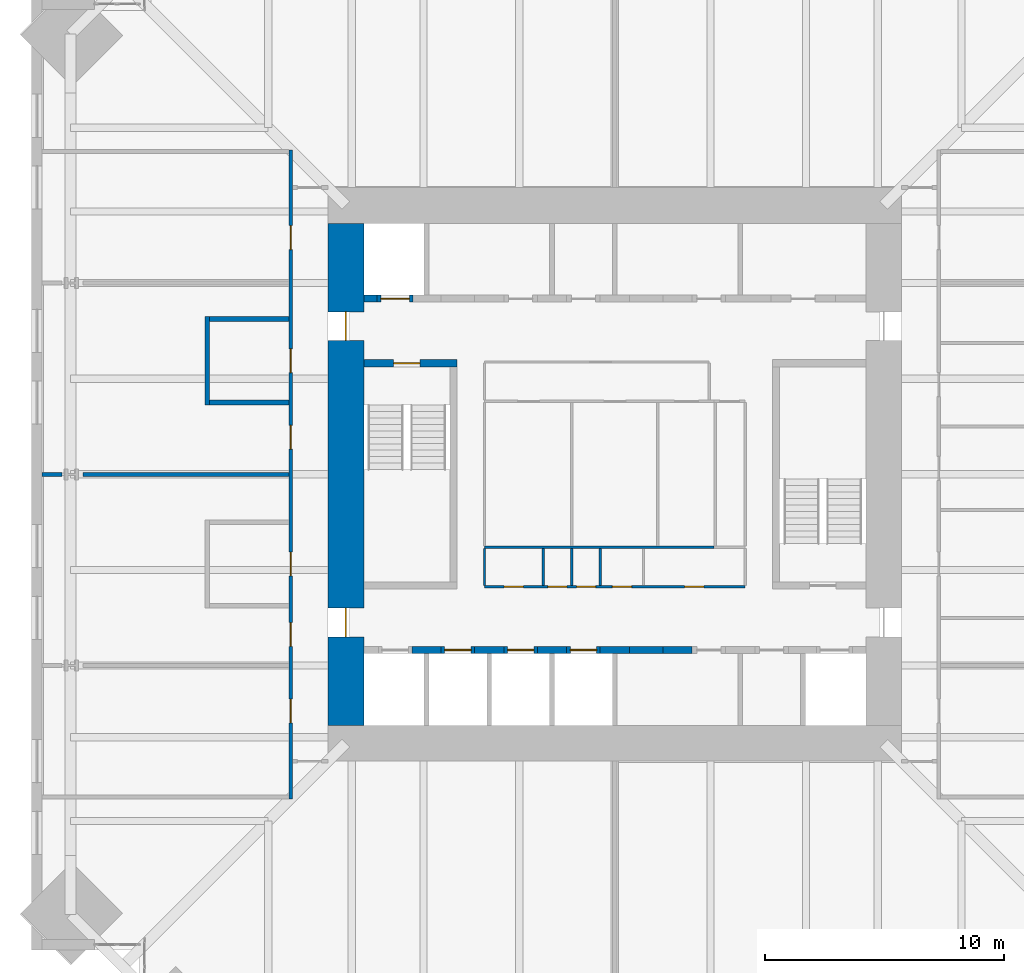
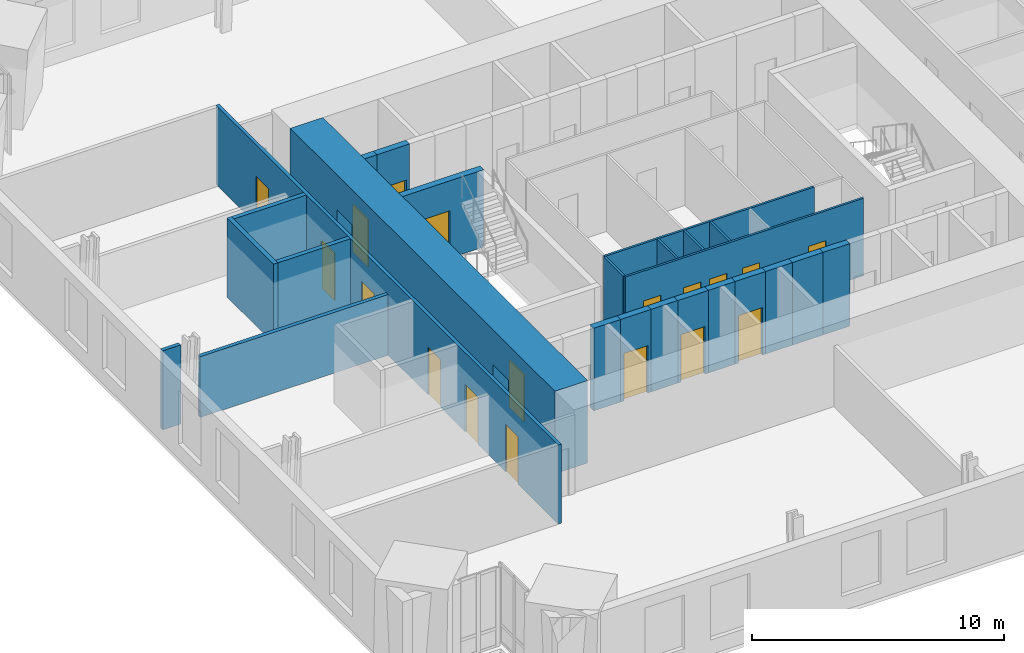
# One storey, part 11 of 15: 25 walls, 18 doors, 18 openings.
"""IFC4 building model written with IfcOpenShell, lengths in metres."""

from ifc_helpers import new_model, si_unit, direction, frame, frame_2d, origin, place, context, subcontext, project, spatial, rectangle, extrude, material, layer, layer_set, type_object, element, fill, save


model = new_model("IFC4")

# Units and contexts
model_context = context("Model", 3, precision=1e-05, world=origin(), true_north=direction((0.0, 1.0)))
body_context = subcontext(model_context, "Body", "Model", "MODEL_VIEW")
ifc_project = project(units=[si_unit("LENGTHUNIT", "METRE"), si_unit("AREAUNIT", "SQUARE_METRE"), si_unit("VOLUMEUNIT", "CUBIC_METRE"), si_unit("PLANEANGLEUNIT", "RADIAN"), si_unit("MASSUNIT", "GRAM", prefix="KILO")], contexts=[model_context])

# Site, building, storey
site_placement = place(None, origin())
site = spatial("IfcSite", under=ifc_project, at=site_placement, CompositionType="ELEMENT")
building_placement = place(site_placement, origin())
building = spatial("IfcBuilding", under=site, at=building_placement, Name="Peilmerk Tower", CompositionType="ELEMENT")
storey_placement = place(building_placement, frame((0.0, 0.0, 201.800048828125)))
storey = spatial("IfcBuildingStorey", under=building, at=storey_placement, Name="L43", CompositionType="ELEMENT", Elevation=201.800048828125)

# Wall, openings, doors
ifc_material_1 = material(Name="Calcium silicate block", Category="masonry")
ifc_layer_1 = layer(ifc_material_1, 0.14990234375)
ifc_layer_set_1 = layer_set([ifc_layer_1], Name="Calcium silicate block")
wall_type_1 = type_object("IfcWallType", Name="IW1 150 corridor partition, EI 60", PredefinedType="PARTITIONING", material=ifc_layer_set_1)
wall_1_placement = place(storey_placement, frame((-13.550048828125, 13.574951171875, 0.0), z_axis=(0.0, 0.0, 1.0), x_axis=(0.0, -1.0, 0.0)))
wall_1 = element("IfcWall", 1, at=wall_1_placement, inside=storey, type_object=wall_type_1, Name="Corridor wall W L43", PredefinedType="PARTITIONING", context=body_context, shape_type="SweptSolid", body=[
    extrude(rectangle(XDim=27.14990234375, YDim=0.14990234375, at=frame_2d((13.574951171875, 0.0))), origin(), (0.0, 0.0, 1.0), 3.829833984375),
])
opening_1_placement = place(wall_1_placement, frame((22.97509765625, 0.0, 0.0)))
opening_1 = element("IfcOpeningElement", 2, at=opening_1_placement, cuts=wall_1, Name="Opening D1", PredefinedType="OPENING", context=body_context, shape_type="SweptSolid", body=[
    extrude(rectangle(XDim=1.0, YDim=2.300048828125, at=frame_2d((0.5, 1.14990234375))), frame((0.0, 0.0849609375, 0.0), z_axis=(0.0, -1.0, 0.0), x_axis=(1.0, 0.0, 0.0)), (0.0, 0.0, 1.0), 0.169921875),
])
opening_2_placement = place(wall_1_placement, frame((19.77490234375, 0.0, 0.0)))
opening_2 = element("IfcOpeningElement", 3, at=opening_2_placement, cuts=wall_1, Name="Opening D1", PredefinedType="OPENING", context=body_context, shape_type="SweptSolid", body=[
    extrude(rectangle(XDim=1.0, YDim=2.300048828125, at=frame_2d((0.5, 1.14990234375))), frame((0.0, 0.0849609375, 0.0), z_axis=(0.0, -1.0, 0.0), x_axis=(1.0, 0.0, 0.0)), (0.0, 0.0, 1.0), 0.169921875),
])
opening_3_placement = place(wall_1_placement, frame((11.52490234375, 0.0, 0.0)))
opening_3 = element("IfcOpeningElement", 4, at=opening_3_placement, cuts=wall_1, Name="Opening D1", PredefinedType="OPENING", context=body_context, shape_type="SweptSolid", body=[
    extrude(rectangle(XDim=1.0, YDim=2.300048828125, at=frame_2d((0.5, 1.14990234375))), frame((0.0, 0.0849609375, 0.0), z_axis=(0.0, -1.0, 0.0), x_axis=(1.0, 0.0, 0.0)), (0.0, 0.0, 1.0), 0.169921875),
])
opening_4_placement = place(wall_1_placement, frame((3.175048828125, 0.0, 0.0)))
opening_4 = element("IfcOpeningElement", 5, at=opening_4_placement, cuts=wall_1, Name="Opening D1", PredefinedType="OPENING", context=body_context, shape_type="SweptSolid", body=[
    extrude(rectangle(XDim=1.0, YDim=2.300048828125, at=frame_2d((0.5, 1.14990234375))), frame((0.0, 0.0849609375, 0.0), z_axis=(0.0, -1.0, 0.0), x_axis=(1.0, 0.0, 0.0)), (0.0, 0.0, 1.0), 0.169921875),
])
opening_5_placement = place(wall_1_placement, frame((16.824951171875, 0.0, 0.0)))
opening_5 = element("IfcOpeningElement", 6, at=opening_5_placement, cuts=wall_1, Name="Opening D1", PredefinedType="OPENING", context=body_context, shape_type="SweptSolid", body=[
    extrude(rectangle(XDim=1.0, YDim=2.300048828125, at=frame_2d((0.5, 1.14990234375))), frame((0.0, 0.0849609375, 0.0), z_axis=(0.0, -1.0, 0.0), x_axis=(1.0, 0.0, 0.0)), (0.0, 0.0, 1.0), 0.169921875),
])
opening_6_placement = place(wall_1_placement, frame((8.324951171875, 0.0, 0.0)))
opening_6 = element("IfcOpeningElement", 7, at=opening_6_placement, cuts=wall_1, Name="Opening D1", PredefinedType="OPENING", context=body_context, shape_type="SweptSolid", body=[
    extrude(rectangle(XDim=1.0, YDim=2.300048828125, at=frame_2d((0.5, 1.14990234375))), frame((0.0, 0.0849609375, 0.0), z_axis=(0.0, -1.0, 0.0), x_axis=(1.0, 0.0, 0.0)), (0.0, 0.0, 1.0), 0.169921875),
])
ifc_material_2 = material(Name="Timber door in steel frame", Category="steel")
door_type_1 = type_object("IfcDoorType", Name="D1 1000x2300 room door, EI2 30", OperationType="SINGLE_SWING_LEFT", PredefinedType="DOOR", material=ifc_material_2)
door_1_placement = place(opening_1_placement, frame((1.0, 0.0, 0.0), z_axis=(0.0, 0.0, 1.0), x_axis=(-1.0, 0.0, 0.0)))
door_1 = element("IfcDoor", 8, at=door_1_placement, inside=storey, type_object=door_type_1, Name="Door Engineering office L43", OperationType="SINGLE_SWING_LEFT", OverallHeight=2.300048828125, OverallWidth=1.0, PredefinedType="DOOR", context=body_context, shape_type="SweptSolid", body=[
    extrude(rectangle(XDim=1.0, YDim=2.300048828125, at=frame_2d((0.5, 1.14990234375))), frame((0.0, 0.02490234375, 0.0), z_axis=(0.0, -1.0, 0.0), x_axis=(1.0, 0.0, 0.0)), (0.0, 0.0, 1.0), 0.050048828125),
])
fill(opening_1, door_1)
door_2_placement = place(opening_2_placement, frame((1.0, 0.0, 0.0), z_axis=(0.0, 0.0, 1.0), x_axis=(-1.0, 0.0, 0.0)))
door_2 = element("IfcDoor", 9, at=door_2_placement, inside=storey, type_object=door_type_1, Name="Door Engineering office L43", OperationType="SINGLE_SWING_LEFT", OverallHeight=2.300048828125, OverallWidth=1.0, PredefinedType="DOOR", context=body_context, shape_type="SweptSolid", body=[
    extrude(rectangle(XDim=1.0, YDim=2.300048828125, at=frame_2d((0.5, 1.14990234375))), frame((0.0, 0.02490234375, 0.0), z_axis=(0.0, -1.0, 0.0), x_axis=(1.0, 0.0, 0.0)), (0.0, 0.0, 1.0), 0.050048828125),
])
fill(opening_2, door_2)
door_3_placement = place(opening_3_placement, frame((1.0, 0.0, 0.0), z_axis=(0.0, 0.0, 1.0), x_axis=(-1.0, 0.0, 0.0)))
door_3 = element("IfcDoor", 10, at=door_3_placement, inside=storey, type_object=door_type_1, Name="Door Engineering office L43", OperationType="SINGLE_SWING_LEFT", OverallHeight=2.300048828125, OverallWidth=1.0, PredefinedType="DOOR", context=body_context, shape_type="SweptSolid", body=[
    extrude(rectangle(XDim=1.0, YDim=2.300048828125, at=frame_2d((0.5, 1.14990234375))), frame((0.0, 0.02490234375, 0.0), z_axis=(0.0, -1.0, 0.0), x_axis=(1.0, 0.0, 0.0)), (0.0, 0.0, 1.0), 0.050048828125),
])
fill(opening_3, door_3)
door_4_placement = place(opening_4_placement, frame((1.0, 0.0, 0.0), z_axis=(0.0, 0.0, 1.0), x_axis=(-1.0, 0.0, 0.0)))
door_4 = element("IfcDoor", 11, at=door_4_placement, inside=storey, type_object=door_type_1, Name="Door Changing room L43", OperationType="SINGLE_SWING_LEFT", OverallHeight=2.300048828125, OverallWidth=1.0, PredefinedType="DOOR", context=body_context, shape_type="SweptSolid", body=[
    extrude(rectangle(XDim=1.0, YDim=2.300048828125, at=frame_2d((0.5, 1.14990234375))), frame((0.0, 0.02490234375, 0.0), z_axis=(0.0, -1.0, 0.0), x_axis=(1.0, 0.0, 0.0)), (0.0, 0.0, 1.0), 0.050048828125),
])
fill(opening_4, door_4)
door_5_placement = place(opening_5_placement, frame((1.0, 0.0, 0.0), z_axis=(0.0, 0.0, 1.0), x_axis=(-1.0, 0.0, 0.0)))
door_5 = element("IfcDoor", 12, at=door_5_placement, inside=storey, type_object=door_type_1, Name="Door Instrument workshop L43", OperationType="SINGLE_SWING_LEFT", OverallHeight=2.300048828125, OverallWidth=1.0, PredefinedType="DOOR", context=body_context, shape_type="SweptSolid", body=[
    extrude(rectangle(XDim=1.0, YDim=2.300048828125, at=frame_2d((0.5, 1.14990234375))), frame((0.0, 0.02490234375, 0.0), z_axis=(0.0, -1.0, 0.0), x_axis=(1.0, 0.0, 0.0)), (0.0, 0.0, 1.0), 0.050048828125),
])
fill(opening_5, door_5)
door_6_placement = place(opening_6_placement, frame((1.0, 0.0, 0.0), z_axis=(0.0, 0.0, 1.0), x_axis=(-1.0, 0.0, 0.0)))
door_6 = element("IfcDoor", 13, at=door_6_placement, inside=storey, type_object=door_type_1, Name="Door Calibration lab L43", OperationType="SINGLE_SWING_LEFT", OverallHeight=2.300048828125, OverallWidth=1.0, PredefinedType="DOOR", context=body_context, shape_type="SweptSolid", body=[
    extrude(rectangle(XDim=1.0, YDim=2.300048828125, at=frame_2d((0.5, 1.14990234375))), frame((0.0, 0.02490234375, 0.0), z_axis=(0.0, -1.0, 0.0), x_axis=(1.0, 0.0, 0.0)), (0.0, 0.0, 1.0), 0.050048828125),
])
fill(opening_6, door_6)

# Walls
ifc_layer_2 = layer(ifc_material_1, 0.199951171875)
ifc_layer_set_2 = layer_set([ifc_layer_2], Name="Calcium silicate block")
wall_type_2 = type_object("IfcWallType", Name="IW2 200 room separating wall, EI 120", PredefinedType="PARTITIONING", material=ifc_layer_set_2)
wall_2_placement = place(storey_placement, frame((-17.050048828125, 2.89990234375, 0.0), z_axis=(0.0, 0.0, 1.0), x_axis=(0.0, 1.0, 0.0)))
element("IfcWall", 14, at=wall_2_placement, inside=storey, type_object=wall_type_2, Name="Room separating wall Calibration lab L43", PredefinedType="PARTITIONING", context=body_context, shape_type="SweptSolid", body=[
    extrude(rectangle(XDim=3.7001953125, YDim=0.199951171875, at=frame_2d((1.85009765625, 0.0))), origin(), (0.0, 0.0, 1.0), 3.829833984375),
])
for number, where, z_axis, x_axis, name in (
    (15, (-13.625, 3.0, 0.0), (0.0, 0.0, 1.0), (-1.0, 0.0, 0.0), "Room separating wall Calibration lab L43"),
    (16, (-13.625, 6.5, 0.0), (0.0, 0.0, 1.0), (-1.0, 0.0, 0.0), "Room separating wall Calibration lab L43"),
):
    element("IfcWall", number, at=place(storey_placement, frame(where, z_axis=z_axis, x_axis=x_axis)), inside=storey, type_object=wall_type_2, Name=name, PredefinedType="PARTITIONING", context=body_context, shape_type="SweptSolid", body=[
        extrude(rectangle(XDim=3.324951171875, YDim=0.199951171875, at=frame_2d((1.66259765625, 0.0))), origin(), (0.0, 0.0, 1.0), 3.829833984375),
    ])

# Wall, opening, door
ifc_material_3 = material(Name="Concrete C35/45", Category="concrete")
ifc_layer_3 = layer(ifc_material_3, 0.300048828125)
ifc_layer_set_3 = layer_set([ifc_layer_3], Name="Concrete C35/45")
wall_type_3 = type_object("IfcWallType", Name="IW3 300 concrete stair enclosure wall, EI 120", PredefinedType="SOLIDWALL", material=ifc_layer_set_3)
wall_3_placement = place(storey_placement, frame((-10.5, 4.64990234375, 0.0), z_axis=(0.0, 0.0, 1.0), x_axis=(1.0, 0.0, 0.0)))
wall_3 = element("IfcWall", 17, at=wall_3_placement, inside=storey, type_object=wall_type_3, Name="Stair 1 enclosure L43", PredefinedType="SOLIDWALL", context=body_context, shape_type="SweptSolid", body=[
    extrude(rectangle(XDim=3.89990234375, YDim=0.300048828125, at=frame_2d((1.949951171875, 0.0))), origin(), (0.0, 0.0, 1.0), 3.75),
])
opening_7_placement = place(wall_3_placement, frame((1.25, 0.0, 0.0)))
opening_7 = element("IfcOpeningElement", 18, at=opening_7_placement, cuts=wall_3, Name="Opening D4", PredefinedType="OPENING", context=body_context, shape_type="SweptSolid", body=[
    extrude(rectangle(XDim=1.10009765625, YDim=2.300048828125, at=frame_2d((0.550048828125, 1.14990234375))), frame((0.0, 0.159912109375, 0.0), z_axis=(0.0, -1.0, 0.0), x_axis=(1.0, 0.0, 0.0)), (0.0, 0.0, 1.0), 0.320068359375),
])
ifc_material_4 = material(Name="Steel door in steel frame", Category="steel")
door_type_2 = type_object("IfcDoorType", Name="D4 1100x2300 stair door, EI2 60", OperationType="SINGLE_SWING_RIGHT", PredefinedType="DOOR", material=ifc_material_4)
door_7_placement = place(opening_7_placement, frame((1.10009765625, 0.0, 0.0), z_axis=(0.0, 0.0, 1.0), x_axis=(-1.0, 0.0, 0.0)))
door_7 = element("IfcDoor", 19, at=door_7_placement, inside=storey, type_object=door_type_2, Name="Stair 1 door L43", OperationType="SINGLE_SWING_RIGHT", OverallHeight=2.300048828125, OverallWidth=1.10009765625, PredefinedType="DOOR", context=body_context, shape_type="SweptSolid", body=[
    extrude(rectangle(XDim=1.10009765625, YDim=2.300048828125, at=frame_2d((0.550048828125, 1.14990234375))), frame((0.0, 0.02490234375, 0.0), z_axis=(0.0, -1.0, 0.0), x_axis=(1.0, 0.0, 0.0)), (0.0, 0.0, 1.0), 0.050048828125),
])
fill(opening_7, door_7)

# Wall
ifc_material_5 = material(Name="Plasterboard on steel studs", Category="steel")
ifc_layer_4 = layer(ifc_material_5, 0.10009765625)
ifc_layer_set_4 = layer_set([ifc_layer_4], Name="Plasterboard on steel studs")
wall_type_4 = type_object("IfcWallType", Name="IW4 100 WC partition", PredefinedType="PARTITIONING", material=ifc_layer_set_4)
wall_4_placement = place(storey_placement, frame((4.14990234375, -3.050048828125, 0.0), z_axis=(0.0, 0.0, 1.0), x_axis=(-1.0, 0.0, 0.0)))
element("IfcWall", 20, at=wall_4_placement, inside=storey, type_object=wall_type_4, Name="WC wall L43", PredefinedType="PARTITIONING", context=body_context, shape_type="SweptSolid", body=[
    extrude(rectangle(XDim=9.599853515625, YDim=0.10009765625, at=frame_2d((4.7998046875, 0.0))), origin(), (0.0, 0.0, 1.0), 3.75),
])

# Wall, openings, doors
ifc_material_6 = material(Name="Calcium silicate board on steel studs", Category="steel")
ifc_layer_5 = layer(ifc_material_6, 0.10009765625)
ifc_layer_set_5 = layer_set([ifc_layer_5], Name="Calcium silicate board on steel studs")
wall_type_5 = type_object("IfcWallType", Name="IW5 100 riser enclosure wall, EI 60", PredefinedType="PARTITIONING", material=ifc_layer_set_5)
wall_5_placement = place(storey_placement, frame((5.449951171875, -4.699951171875, 0.0), z_axis=(0.0, 0.0, 1.0), x_axis=(-1.0, 0.0, 0.0)))
wall_5 = element("IfcWall", 21, at=wall_5_placement, inside=storey, type_object=wall_type_5, Name="Riser wall L43", PredefinedType="PARTITIONING", context=body_context, shape_type="SweptSolid", body=[
    extrude(rectangle(XDim=10.89990234375, YDim=0.10009765625, at=frame_2d((5.449951171875, 0.0))), origin(), (0.0, 0.0, 1.0), 3.75),
])
opening_8_placement = place(wall_5_placement, frame((9.27490234375, 0.0, 0.0)))
opening_8 = element("IfcOpeningElement", 22, at=opening_8_placement, cuts=wall_5, Name="Opening D7", PredefinedType="OPENING", context=body_context, shape_type="SweptSolid", body=[
    extrude(rectangle(XDim=0.800048828125, YDim=2.300048828125, at=frame_2d((0.39990234375, 1.14990234375))), frame((0.0, 0.06005859375, 0.0), z_axis=(0.0, -1.0, 0.0), x_axis=(1.0, 0.0, 0.0)), (0.0, 0.0, 1.0), 0.1201171875),
])
opening_9_placement = place(wall_5_placement, frame((7.449951171875, 0.0, 0.0)))
opening_9 = element("IfcOpeningElement", 23, at=opening_9_placement, cuts=wall_5, Name="Opening D7", PredefinedType="OPENING", context=body_context, shape_type="SweptSolid", body=[
    extrude(rectangle(XDim=0.800048828125, YDim=2.300048828125, at=frame_2d((0.39990234375, 1.14990234375))), frame((0.0, 0.06005859375, 0.0), z_axis=(0.0, -1.0, 0.0), x_axis=(1.0, 0.0, 0.0)), (0.0, 0.0, 1.0), 0.1201171875),
])
opening_10_placement = place(wall_5_placement, frame((6.25, 0.0, 0.0)))
opening_10 = element("IfcOpeningElement", 24, at=opening_10_placement, cuts=wall_5, Name="Opening D7", PredefinedType="OPENING", context=body_context, shape_type="SweptSolid", body=[
    extrude(rectangle(XDim=0.800048828125, YDim=2.300048828125, at=frame_2d((0.39990234375, 1.14990234375))), frame((0.0, 0.06005859375, 0.0), z_axis=(0.0, -1.0, 0.0), x_axis=(1.0, 0.0, 0.0)), (0.0, 0.0, 1.0), 0.1201171875),
])
opening_11_placement = place(wall_5_placement, frame((4.75, 0.0, 0.0)))
opening_11 = element("IfcOpeningElement", 25, at=opening_11_placement, cuts=wall_5, Name="Opening D7", PredefinedType="OPENING", context=body_context, shape_type="SweptSolid", body=[
    extrude(rectangle(XDim=0.800048828125, YDim=2.300048828125, at=frame_2d((0.39990234375, 1.14990234375))), frame((0.0, 0.06005859375, 0.0), z_axis=(0.0, -1.0, 0.0), x_axis=(1.0, 0.0, 0.0)), (0.0, 0.0, 1.0), 0.1201171875),
])
opening_12_placement = place(wall_5_placement, frame((1.72509765625, 0.0, 0.0)))
opening_12 = element("IfcOpeningElement", 26, at=opening_12_placement, cuts=wall_5, Name="Opening D7", PredefinedType="OPENING", context=body_context, shape_type="SweptSolid", body=[
    extrude(rectangle(XDim=0.800048828125, YDim=2.300048828125, at=frame_2d((0.39990234375, 1.14990234375))), frame((0.0, 0.06005859375, 0.0), z_axis=(0.0, -1.0, 0.0), x_axis=(1.0, 0.0, 0.0)), (0.0, 0.0, 1.0), 0.1201171875),
])
door_type_3 = type_object("IfcDoorType", Name="D7 800x2300 riser access door, EI2 60", OperationType="SINGLE_SWING_RIGHT", PredefinedType="DOOR", material=ifc_material_4)
door_8_placement = place(opening_8_placement, frame((0.800048828125, 0.0, 0.0), z_axis=(0.0, 0.0, 1.0), x_axis=(-1.0, 0.0, 0.0)))
door_8 = element("IfcDoor", 27, at=door_8_placement, inside=storey, type_object=door_type_3, Name="Electrical room door L43", OperationType="SINGLE_SWING_RIGHT", OverallHeight=2.300048828125, OverallWidth=0.800048828125, PredefinedType="DOOR", context=body_context, shape_type="SweptSolid", body=[
    extrude(rectangle(XDim=0.800048828125, YDim=2.300048828125, at=frame_2d((0.39990234375, 1.14990234375))), frame((0.0, 0.02490234375, 0.0), z_axis=(0.0, -1.0, 0.0), x_axis=(1.0, 0.0, 0.0)), (0.0, 0.0, 1.0), 0.050048828125),
])
fill(opening_8, door_8)
door_9_placement = place(opening_9_placement, frame((0.800048828125, 0.0, 0.0), z_axis=(0.0, 0.0, 1.0), x_axis=(-1.0, 0.0, 0.0)))
door_9 = element("IfcDoor", 28, at=door_9_placement, inside=storey, type_object=door_type_3, Name="Electrical riser door L43", OperationType="SINGLE_SWING_RIGHT", OverallHeight=2.300048828125, OverallWidth=0.800048828125, PredefinedType="DOOR", context=body_context, shape_type="SweptSolid", body=[
    extrude(rectangle(XDim=0.800048828125, YDim=2.300048828125, at=frame_2d((0.39990234375, 1.14990234375))), frame((0.0, 0.02490234375, 0.0), z_axis=(0.0, -1.0, 0.0), x_axis=(1.0, 0.0, 0.0)), (0.0, 0.0, 1.0), 0.050048828125),
])
fill(opening_9, door_9)
door_10_placement = place(opening_10_placement, frame((0.800048828125, 0.0, 0.0), z_axis=(0.0, 0.0, 1.0), x_axis=(-1.0, 0.0, 0.0)))
door_10 = element("IfcDoor", 29, at=door_10_placement, inside=storey, type_object=door_type_3, Name="Data riser door L43", OperationType="SINGLE_SWING_RIGHT", OverallHeight=2.300048828125, OverallWidth=0.800048828125, PredefinedType="DOOR", context=body_context, shape_type="SweptSolid", body=[
    extrude(rectangle(XDim=0.800048828125, YDim=2.300048828125, at=frame_2d((0.39990234375, 1.14990234375))), frame((0.0, 0.02490234375, 0.0), z_axis=(0.0, -1.0, 0.0), x_axis=(1.0, 0.0, 0.0)), (0.0, 0.0, 1.0), 0.050048828125),
])
fill(opening_10, door_10)
door_11_placement = place(opening_11_placement, frame((0.800048828125, 0.0, 0.0), z_axis=(0.0, 0.0, 1.0), x_axis=(-1.0, 0.0, 0.0)))
door_11 = element("IfcDoor", 30, at=door_11_placement, inside=storey, type_object=door_type_3, Name="Cleaner's cupboard door L43", OperationType="SINGLE_SWING_RIGHT", OverallHeight=2.300048828125, OverallWidth=0.800048828125, PredefinedType="DOOR", context=body_context, shape_type="SweptSolid", body=[
    extrude(rectangle(XDim=0.800048828125, YDim=2.300048828125, at=frame_2d((0.39990234375, 1.14990234375))), frame((0.0, 0.02490234375, 0.0), z_axis=(0.0, -1.0, 0.0), x_axis=(1.0, 0.0, 0.0)), (0.0, 0.0, 1.0), 0.050048828125),
])
fill(opening_11, door_11)
door_12_placement = place(opening_12_placement, frame((0.800048828125, 0.0, 0.0), z_axis=(0.0, 0.0, 1.0), x_axis=(-1.0, 0.0, 0.0)))
door_12 = element("IfcDoor", 31, at=door_12_placement, inside=storey, type_object=door_type_3, Name="Comms room door L43", OperationType="SINGLE_SWING_RIGHT", OverallHeight=2.300048828125, OverallWidth=0.800048828125, PredefinedType="DOOR", context=body_context, shape_type="SweptSolid", body=[
    extrude(rectangle(XDim=0.800048828125, YDim=2.300048828125, at=frame_2d((0.39990234375, 1.14990234375))), frame((0.0, 0.02490234375, 0.0), z_axis=(0.0, -1.0, 0.0), x_axis=(1.0, 0.0, 0.0)), (0.0, 0.0, 1.0), 0.050048828125),
])
fill(opening_12, door_12)

# Walls
for number, where, z_axis, x_axis, name in (
    (32, (-5.449951171875, -3.10009765625, 0.0), (0.0, 0.0, 1.0), (0.0, -1.0, 0.0), "Riser wall L43"),
    (33, (-3.0, -3.10009765625, 0.0), (0.0, 0.0, 1.0), (0.0, -1.0, 0.0), "Riser wall L43"),
    (34, (-1.800048828125, -3.10009765625, 0.0), (0.0, 0.0, 1.0), (0.0, -1.0, 0.0), "Riser wall L43"),
    (35, (-0.60009765625, -3.10009765625, 0.0), (0.0, 0.0, 1.0), (0.0, -1.0, 0.0), "Riser wall L43"),
):
    element("IfcWall", number, at=place(storey_placement, frame(where, z_axis=z_axis, x_axis=x_axis)), inside=storey, type_object=wall_type_5, Name=name, PredefinedType="PARTITIONING", context=body_context, shape_type="SweptSolid", body=[
        extrude(rectangle(XDim=1.5498046875, YDim=0.10009765625, at=frame_2d((0.77490234375, 0.0))), origin(), (0.0, 0.0, 1.0), 3.75),
    ])
ifc_layer_6 = layer(ifc_material_1, 0.175048828125)
ifc_layer_set_6 = layer_set([ifc_layer_6], Name="Calcium silicate block")
wall_type_6 = type_object("IfcWallType", Name="IW8 175 tenant separating wall, EI 60", PredefinedType="PARTITIONING", material=ifc_layer_set_6)
wall_6_placement = place(storey_placement, frame((-13.625, 0.0, 0.0), z_axis=(0.0, 0.0, 1.0), x_axis=(-1.0, 0.0, 0.0)))
element("IfcWall", 36, at=wall_6_placement, inside=storey, type_object=wall_type_6, Name="Tenant separating wall W2 L43", PredefinedType="PARTITIONING", context=body_context, shape_type="SweptSolid", body=[
    extrude(rectangle(XDim=8.609375, YDim=0.175048828125, at=frame_2d((4.3046875, 0.0))), origin(), (0.0, 0.0, 1.0), 2.93994140625),
])
wall_7_placement = place(storey_placement, frame((-23.12353515625, 0.0, 0.0), z_axis=(0.0, 0.0, 1.0), x_axis=(-1.0, 0.0, 0.0)))
element("IfcWall", 37, at=wall_7_placement, inside=storey, type_object=wall_type_6, Name="Tenant separating wall W2b L43", PredefinedType="PARTITIONING", context=body_context, shape_type="SweptSolid", body=[
    extrude(rectangle(XDim=0.826416015625, YDim=0.175048828125, at=frame_2d((0.4130859375, 0.0))), origin(), (0.0, 0.0, 1.0), 3.829833984375),
])

# Wall, opening, door
ifc_layer_7 = layer(ifc_material_1, 0.300048828125)
ifc_layer_set_7 = layer_set([ifc_layer_7], Name="Calcium silicate block")
wall_type_7 = type_object("IfcWallType", Name="SH2 300 lift landing door panel, EI 120", PredefinedType="PARTITIONING", material=ifc_layer_set_7)
wall_8_placement = place(storey_placement, frame((-9.9375, 7.35009765625, 0.0), z_axis=(0.0, 0.0, 1.0), x_axis=(1.0, 0.0, 0.0)))
wall_8 = element("IfcWall", 38, at=wall_8_placement, inside=storey, type_object=wall_type_7, Name="Lift door panel N FL1 L43", PredefinedType="PARTITIONING", context=body_context, shape_type="SweptSolid", body=[
    extrude(rectangle(XDim=1.5, YDim=0.300048828125, at=frame_2d((0.75, 0.0))), origin(), (0.0, 0.0, 1.0), 4.0),
])
opening_13_placement = place(wall_8_placement, frame((0.14990234375, 0.0, 0.0)))
opening_13 = element("IfcOpeningElement", 39, at=opening_13_placement, cuts=wall_8, Name="Opening LD2", PredefinedType="OPENING", context=body_context, shape_type="SweptSolid", body=[
    extrude(rectangle(XDim=1.199951171875, YDim=2.300048828125, at=frame_2d((0.60009765625, 1.14990234375))), frame((0.0, 0.159912109375, 0.0), z_axis=(0.0, -1.0, 0.0), x_axis=(1.0, 0.0, 0.0)), (0.0, 0.0, 1.0), 0.320068359375),
])
ifc_material_7 = material(Name="Stainless steel landing door", Category="steel")
door_type_4 = type_object("IfcDoorType", Name="LD2 1200x2300 lift landing door, sliding, EI2 60", OperationType="SLIDING_TO_LEFT", PredefinedType="DOOR", material=ifc_material_7)
door_13_placement = place(opening_13_placement, frame((1.199951171875, 0.0, 0.0), z_axis=(0.0, 0.0, 1.0), x_axis=(-1.0, 0.0, 0.0)))
door_13 = element("IfcDoor", 40, at=door_13_placement, inside=storey, type_object=door_type_4, Name="Lift landing door FL1 L43", OperationType="SLIDING_TO_LEFT", OverallHeight=2.300048828125, OverallWidth=1.199951171875, PredefinedType="DOOR", context=body_context, shape_type="SweptSolid", body=[
    extrude(rectangle(XDim=1.199951171875, YDim=2.300048828125, at=frame_2d((0.60009765625, 1.14990234375))), frame((0.0, 0.02490234375, 0.0), z_axis=(0.0, -1.0, 0.0), x_axis=(1.0, 0.0, 0.0)), (0.0, 0.0, 1.0), 0.050048828125),
])
fill(opening_13, door_13)

wall_9_placement = place(storey_placement, frame((-7.262451171875, -7.35009765625, 0.0), z_axis=(0.0, 0.0, 1.0), x_axis=(1.0, 0.0, 0.0)))
wall_9 = element("IfcWall", 41, at=wall_9_placement, inside=storey, type_object=wall_type_7, Name="Lift door panel S C3 L43", PredefinedType="PARTITIONING", context=body_context, shape_type="SweptSolid", body=[
    extrude(rectangle(XDim=1.39990234375, YDim=0.300048828125, at=frame_2d((0.699951171875, 0.0))), origin(), (0.0, 0.0, 1.0), 4.0),
])
opening_14_placement = place(wall_9_placement, frame((0.14990234375, 0.0, 0.0)))
opening_14 = element("IfcOpeningElement", 42, at=opening_14_placement, cuts=wall_9, Name="Opening LD1", PredefinedType="OPENING", context=body_context, shape_type="SweptSolid", body=[
    extrude(rectangle(XDim=1.10009765625, YDim=2.300048828125, at=frame_2d((0.550048828125, 1.14990234375))), frame((0.0, 0.159912109375, 0.0), z_axis=(0.0, -1.0, 0.0), x_axis=(1.0, 0.0, 0.0)), (0.0, 0.0, 1.0), 0.320068359375),
])
door_type_5 = type_object("IfcDoorType", Name="LD1 1100x2300 lift landing door, sliding, EI2 60", OperationType="SLIDING_TO_LEFT", PredefinedType="DOOR", material=ifc_material_7)
door_14_placement = place(opening_14_placement, origin())
door_14 = element("IfcDoor", 43, at=door_14_placement, inside=storey, type_object=door_type_5, Name="Lift landing door C3 L43", OperationType="SLIDING_TO_LEFT", OverallHeight=2.300048828125, OverallWidth=1.10009765625, PredefinedType="DOOR", context=body_context, shape_type="SweptSolid", body=[
    extrude(rectangle(XDim=1.10009765625, YDim=2.300048828125, at=frame_2d((0.550048828125, 1.14990234375))), frame((0.0, 0.02490234375, 0.0), z_axis=(0.0, -1.0, 0.0), x_axis=(1.0, 0.0, 0.0)), (0.0, 0.0, 1.0), 0.050048828125),
])
fill(opening_14, door_14)

wall_10_placement = place(storey_placement, frame((-4.637451171875, -7.35009765625, 0.0), z_axis=(0.0, 0.0, 1.0), x_axis=(1.0, 0.0, 0.0)))
wall_10 = element("IfcWall", 44, at=wall_10_placement, inside=storey, type_object=wall_type_7, Name="Lift door panel S C2 L43", PredefinedType="PARTITIONING", context=body_context, shape_type="SweptSolid", body=[
    extrude(rectangle(XDim=1.39990234375, YDim=0.300048828125, at=frame_2d((0.699951171875, 0.0))), origin(), (0.0, 0.0, 1.0), 4.0),
])
opening_15_placement = place(wall_10_placement, frame((0.14990234375, 0.0, 0.0)))
opening_15 = element("IfcOpeningElement", 45, at=opening_15_placement, cuts=wall_10, Name="Opening LD1", PredefinedType="OPENING", context=body_context, shape_type="SweptSolid", body=[
    extrude(rectangle(XDim=1.10009765625, YDim=2.300048828125, at=frame_2d((0.550048828125, 1.14990234375))), frame((0.0, 0.159912109375, 0.0), z_axis=(0.0, -1.0, 0.0), x_axis=(1.0, 0.0, 0.0)), (0.0, 0.0, 1.0), 0.320068359375),
])
door_15_placement = place(opening_15_placement, origin())
door_15 = element("IfcDoor", 46, at=door_15_placement, inside=storey, type_object=door_type_5, Name="Lift landing door C2 L43", OperationType="SLIDING_TO_LEFT", OverallHeight=2.300048828125, OverallWidth=1.10009765625, PredefinedType="DOOR", context=body_context, shape_type="SweptSolid", body=[
    extrude(rectangle(XDim=1.10009765625, YDim=2.300048828125, at=frame_2d((0.550048828125, 1.14990234375))), frame((0.0, 0.02490234375, 0.0), z_axis=(0.0, -1.0, 0.0), x_axis=(1.0, 0.0, 0.0)), (0.0, 0.0, 1.0), 0.050048828125),
])
fill(opening_15, door_15)

wall_11_placement = place(storey_placement, frame((-2.012451171875, -7.35009765625, 0.0), z_axis=(0.0, 0.0, 1.0), x_axis=(1.0, 0.0, 0.0)))
wall_11 = element("IfcWall", 47, at=wall_11_placement, inside=storey, type_object=wall_type_7, Name="Lift door panel S C1 L43", PredefinedType="PARTITIONING", context=body_context, shape_type="SweptSolid", body=[
    extrude(rectangle(XDim=1.39990234375, YDim=0.300048828125, at=frame_2d((0.699951171875, 0.0))), origin(), (0.0, 0.0, 1.0), 4.0),
])
opening_16_placement = place(wall_11_placement, frame((0.14990234375, 0.0, 0.0)))
opening_16 = element("IfcOpeningElement", 48, at=opening_16_placement, cuts=wall_11, Name="Opening LD1", PredefinedType="OPENING", context=body_context, shape_type="SweptSolid", body=[
    extrude(rectangle(XDim=1.10009765625, YDim=2.300048828125, at=frame_2d((0.550048828125, 1.14990234375))), frame((0.0, 0.159912109375, 0.0), z_axis=(0.0, -1.0, 0.0), x_axis=(1.0, 0.0, 0.0)), (0.0, 0.0, 1.0), 0.320068359375),
])
door_16_placement = place(opening_16_placement, origin())
door_16 = element("IfcDoor", 49, at=door_16_placement, inside=storey, type_object=door_type_5, Name="Lift landing door C1 L43", OperationType="SLIDING_TO_LEFT", OverallHeight=2.300048828125, OverallWidth=1.10009765625, PredefinedType="DOOR", context=body_context, shape_type="SweptSolid", body=[
    extrude(rectangle(XDim=1.10009765625, YDim=2.300048828125, at=frame_2d((0.550048828125, 1.14990234375))), frame((0.0, 0.02490234375, 0.0), z_axis=(0.0, -1.0, 0.0), x_axis=(1.0, 0.0, 0.0)), (0.0, 0.0, 1.0), 0.050048828125),
])
fill(opening_16, door_16)

# Wall
wall_12_placement = place(storey_placement, frame((0.612548828125, -7.35009765625, 0.0), z_axis=(0.0, 0.0, 1.0), x_axis=(1.0, 0.0, 0.0)))
element("IfcWall", 50, at=wall_12_placement, inside=storey, type_object=wall_type_7, Name="Lift door panel S B3 L43", PredefinedType="PARTITIONING", context=body_context, shape_type="SweptSolid", body=[
    extrude(rectangle(XDim=1.39990234375, YDim=0.300048828125, at=frame_2d((0.699951171875, 0.0))), origin(), (0.0, 0.0, 1.0), 4.0),
])

# Wall, openings, doors
ifc_material_8 = material(Name="Concrete C55/67", Category="concrete")
ifc_layer_8 = layer(ifc_material_8, 1.5)
ifc_layer_set_8 = layer_set([ifc_layer_8], Name="Concrete C55/67")
wall_type_8 = type_object("IfcWallType", Name="SW1 1500 core wall", PredefinedType="SHEAR", material=ifc_layer_set_8)
wall_13_placement = place(storey_placement, frame((-11.25, -10.5, 0.0), z_axis=(0.0, 0.0, 1.0), x_axis=(0.0, 1.0, 0.0)))
wall_13 = element("IfcWall", 51, at=wall_13_placement, inside=storey, type_object=wall_type_8, Name="Core wall W L43", PredefinedType="SHEAR", context=body_context, shape_type="SweptSolid", body=[
    extrude(rectangle(XDim=21.0, YDim=1.5, at=frame_2d((10.5, 0.0))), origin(), (0.0, 0.0, 1.0), 4.0),
])
opening_17_placement = place(wall_13_placement, frame((16.10009765625, 0.0, 0.0)))
opening_17 = element("IfcOpeningElement", 52, at=opening_17_placement, cuts=wall_13, Name="Opening D3", PredefinedType="OPENING", context=body_context, shape_type="SweptSolid", body=[
    extrude(rectangle(XDim=1.199951171875, YDim=2.300048828125, at=frame_2d((0.60009765625, 1.14990234375))), frame((0.0, 0.760009765625, 0.0), z_axis=(0.0, -1.0, 0.0), x_axis=(1.0, 0.0, 0.0)), (0.0, 0.0, 1.0), 1.52001953125),
])
opening_18_placement = place(wall_13_placement, frame((3.699951171875, 0.0, 0.0)))
opening_18 = element("IfcOpeningElement", 53, at=opening_18_placement, cuts=wall_13, Name="Opening D3", PredefinedType="OPENING", context=body_context, shape_type="SweptSolid", body=[
    extrude(rectangle(XDim=1.199951171875, YDim=2.300048828125, at=frame_2d((0.60009765625, 1.14990234375))), frame((0.0, 0.760009765625, 0.0), z_axis=(0.0, -1.0, 0.0), x_axis=(1.0, 0.0, 0.0)), (0.0, 0.0, 1.0), 1.52001953125),
])
door_type_6 = type_object("IfcDoorType", Name="D3 1200x2300 core door, EI2 60", OperationType="SINGLE_SWING_LEFT", PredefinedType="DOOR", material=ifc_material_4)
door_17_placement = place(opening_17_placement, frame((1.199951171875, 0.0, 0.0), z_axis=(0.0, 0.0, 1.0), x_axis=(-1.0, 0.0, 0.0)))
door_17 = element("IfcDoor", 54, at=door_17_placement, inside=storey, type_object=door_type_6, Name="Core door L43", OperationType="SINGLE_SWING_LEFT", OverallHeight=2.300048828125, OverallWidth=1.199951171875, PredefinedType="DOOR", context=body_context, shape_type="SweptSolid", body=[
    extrude(rectangle(XDim=1.199951171875, YDim=2.300048828125, at=frame_2d((0.60009765625, 1.14990234375))), frame((0.0, 0.02490234375, 0.0), z_axis=(0.0, -1.0, 0.0), x_axis=(1.0, 0.0, 0.0)), (0.0, 0.0, 1.0), 0.050048828125),
])
fill(opening_17, door_17)
door_18_placement = place(opening_18_placement, frame((1.199951171875, 0.0, 0.0), z_axis=(0.0, 0.0, 1.0), x_axis=(-1.0, 0.0, 0.0)))
door_18 = element("IfcDoor", 55, at=door_18_placement, inside=storey, type_object=door_type_6, Name="Core door L43", OperationType="SINGLE_SWING_LEFT", OverallHeight=2.300048828125, OverallWidth=1.199951171875, PredefinedType="DOOR", context=body_context, shape_type="SweptSolid", body=[
    extrude(rectangle(XDim=1.199951171875, YDim=2.300048828125, at=frame_2d((0.60009765625, 1.14990234375))), frame((0.0, 0.02490234375, 0.0), z_axis=(0.0, -1.0, 0.0), x_axis=(1.0, 0.0, 0.0)), (0.0, 0.0, 1.0), 0.050048828125),
])
fill(opening_18, door_18)

# Walls
ifc_layer_9 = layer(ifc_material_8, 0.300048828125)
ifc_layer_set_9 = layer_set([ifc_layer_9], Name="Concrete C55/67")
wall_type_9 = type_object("IfcWallType", Name="SW2 300 lift bank pier", PredefinedType="SHEAR", material=ifc_layer_set_9)
wall_14_placement = place(storey_placement, frame((-10.5, 7.35009765625, 0.0), z_axis=(0.0, 0.0, 1.0), x_axis=(1.0, 0.0, 0.0)))
element("IfcWall", 56, at=wall_14_placement, inside=storey, type_object=wall_type_9, Name="Lift bank pier N L43", PredefinedType="SHEAR", context=body_context, shape_type="SweptSolid", body=[
    extrude(rectangle(XDim=0.5625, YDim=0.300048828125, at=frame_2d((0.28125, 0.0))), origin(), (0.0, 0.0, 1.0), 4.0),
])
for number, where, z_axis, x_axis, name in (
    (57, (-8.487548828125, -7.35009765625, 0.0), (0.0, 0.0, 1.0), (1.0, 0.0, 0.0), "Lift bank pier S L43"),
    (58, (-5.862548828125, -7.35009765625, 0.0), (0.0, 0.0, 1.0), (1.0, 0.0, 0.0), "Lift bank pier S L43"),
    (59, (-3.237548828125, -7.35009765625, 0.0), (0.0, 0.0, 1.0), (1.0, 0.0, 0.0), "Lift bank pier S L43"),
    (60, (-0.612548828125, -7.35009765625, 0.0), (0.0, 0.0, 1.0), (1.0, 0.0, 0.0), "Lift bank pier S L43"),
    (61, (2.012451171875, -7.35009765625, 0.0), (0.0, 0.0, 1.0), (1.0, 0.0, 0.0), "Lift bank pier S L43"),
):
    element("IfcWall", number, at=place(storey_placement, frame(where, z_axis=z_axis, x_axis=x_axis)), inside=storey, type_object=wall_type_9, Name=name, PredefinedType="SHEAR", context=body_context, shape_type="SweptSolid", body=[
        extrude(rectangle(XDim=1.22509765625, YDim=0.300048828125, at=frame_2d((0.612548828125, 0.0))), origin(), (0.0, 0.0, 1.0), 4.0),
    ])

save(model, "model.ifc")
